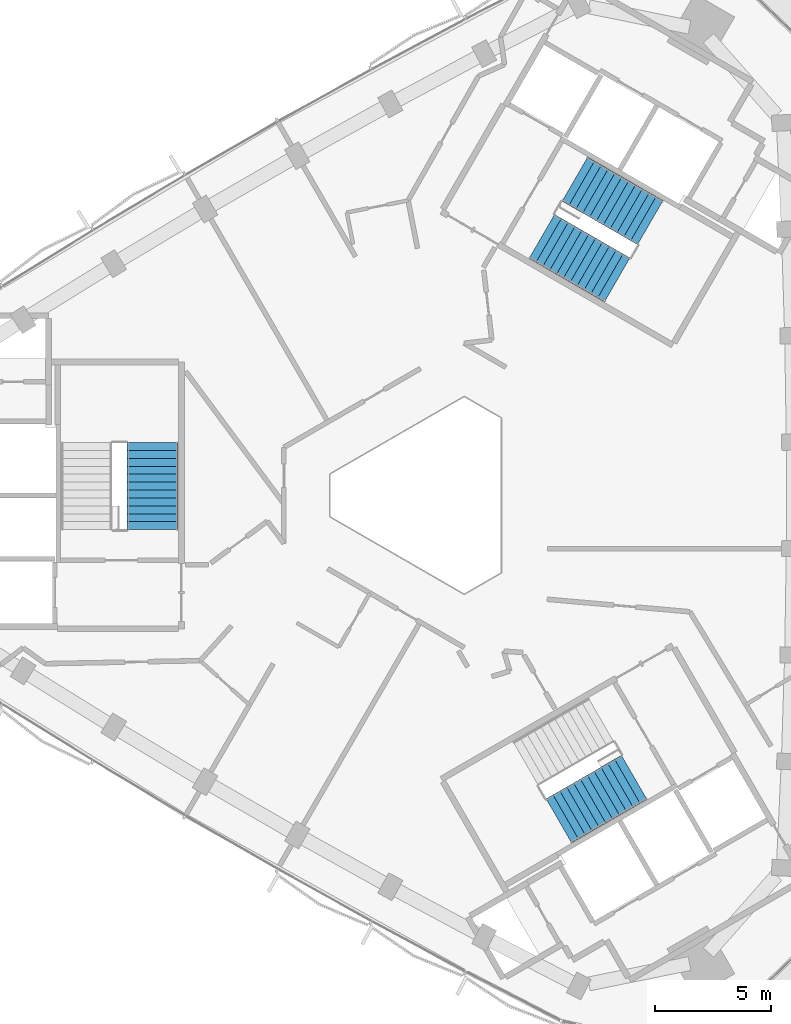
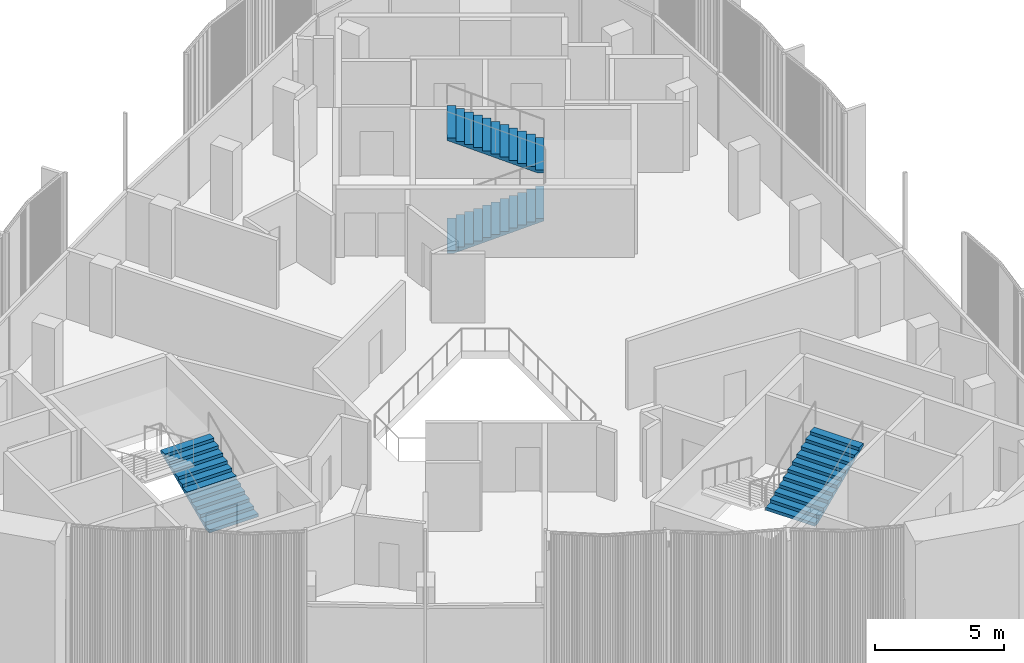
# One storey, part 9 of 13: 4 stair flights, 3 elements without a shape of their own.
"""IFC4 building model written with IfcOpenShell, lengths in metres."""

from ifc_helpers import new_model, si_unit, direction, frame, origin, place, context, subcontext, project, spatial, polyline, outline, extrude, material, type_object, element, aggregate, save


model = new_model("IFC4")

# Units and contexts
model_context = context("Model", 3, precision=1e-05, world=origin(), true_north=direction((0.0, 1.0)))
body_context = subcontext(model_context, "Body", "Model", "MODEL_VIEW")
ifc_project = project(units=[si_unit("LENGTHUNIT", "METRE"), si_unit("AREAUNIT", "SQUARE_METRE"), si_unit("VOLUMEUNIT", "CUBIC_METRE"), si_unit("PLANEANGLEUNIT", "RADIAN"), si_unit("MASSUNIT", "GRAM", prefix="KILO")], contexts=[model_context])

# Site, building, storey
site_placement = place(None, origin())
site = spatial("IfcSite", under=ifc_project, at=site_placement, CompositionType="ELEMENT")
building_placement = place(site_placement, origin())
building = spatial("IfcBuilding", under=site, at=building_placement, Name="Tamra Quay Hotel Tower", CompositionType="ELEMENT")
storey_placement = place(building_placement, frame((0.0, 0.0, 291.0)))
storey = spatial("IfcBuildingStorey", under=building, at=storey_placement, Name="L73", CompositionType="ELEMENT", Elevation=291.0)

# Stair, stair flight
ifc_material_1 = material(Name="Exit stair 2200 24 risers 150.0 going 342")
stair_type = type_object("IfcStairType", Name="Exit stair 2200 24 risers 150.0 going 342", PredefinedType="HALF_TURN_STAIR", material=ifc_material_1)
stair_1_placement = place(storey_placement, origin())
stair_1 = element("IfcStair", 1, at=stair_1_placement, inside=storey, type_object=stair_type, Name="L73 Exit stair ST3", PredefinedType="HALF_TURN_STAIR")
ifc_material_2 = material(Name="Exit stair flight 2200 12 risers 150.0")
stair_flight_type = type_object("IfcStairFlightType", Name="Exit stair flight 2200 12 risers 150.0", PredefinedType="STRAIGHT", material=ifc_material_2)
stair_flight_1_placement = place(storey_placement, frame((-12.082275390625, -1.47998046875, 0.0), z_axis=(0.0, 0.0, 1.0), x_axis=(0.0, 1.0, 0.0)))
stair_flight_1 = element("IfcStairFlight", 2, at=stair_flight_1_placement, type_object=stair_flight_type, Name="ST3 flight 1", NumberOfRisers=12, NumberOfTreads=11, PredefinedType="STRAIGHT", RiserHeight=0.15, TreadLength=0.342, context=body_context, shape_type="SweptSolid", body=[
    extrude(outline(polyline([(0.0, 0.0), (0.0, 0.14990234375), (0.342041015625, 0.14990234375), (0.342041015625, 0.300048828125), (0.68408203125, 0.300048828125), (0.68408203125, 0.449951171875), (1.02587890625, 0.449951171875), (1.02587890625, 0.60009765625), (1.367919921875, 0.60009765625), (1.367919921875, 0.75), (1.7099609375, 0.75), (1.7099609375, 0.89990234375), (2.052001953125, 0.89990234375), (2.052001953125, 1.050048828125), (2.39404296875, 1.050048828125), (2.39404296875, 1.199951171875), (2.736083984375, 1.199951171875), (2.736083984375, 1.35009765625), (3.077880859375, 1.35009765625), (3.077880859375, 1.5), (3.419921875, 1.5), (3.419921875, 1.64990234375), (3.761962890625, 1.64990234375), (3.761962890625, 1.800048828125), (3.761962890625, 1.540771484375), (0.249267578125, 0.0), (0.0, 0.0)])), frame((0.0, 1.10009765625, 0.0), z_axis=(0.0, -1.0, 0.0), x_axis=(1.0, 0.0, 0.0)), (0.0, 0.0, 1.0), 2.199951171875),
])
aggregate(stair_1, [stair_flight_1])

# Stair, stair flights
stair_2_placement = place(storey_placement, origin())
stair_2 = element("IfcStair", 3, at=stair_2_placement, inside=storey, type_object=stair_type, Name="L73 Exit stair ST1", PredefinedType="HALF_TURN_STAIR")
stair_flight_2_placement = place(storey_placement, frame((4.75927734375, 11.20361328125, 0.0), z_axis=(0.0, 0.0, 1.0), x_axis=(0.866025403784, -0.5, 0.0)))
stair_flight_2 = element("IfcStairFlight", 4, at=stair_flight_2_placement, type_object=stair_flight_type, Name="ST1 flight 1", NumberOfRisers=12, NumberOfTreads=11, PredefinedType="STRAIGHT", RiserHeight=0.15, TreadLength=0.342, context=body_context, shape_type="SweptSolid", body=[
    extrude(outline(polyline([(0.0, 0.0), (0.0, 0.14990234375), (0.342041015625, 0.14990234375), (0.342041015625, 0.300048828125), (0.68408203125, 0.300048828125), (0.68408203125, 0.449951171875), (1.02587890625, 0.449951171875), (1.02587890625, 0.60009765625), (1.367919921875, 0.60009765625), (1.367919921875, 0.75), (1.7099609375, 0.75), (1.7099609375, 0.89990234375), (2.052001953125, 0.89990234375), (2.052001953125, 1.050048828125), (2.39404296875, 1.050048828125), (2.39404296875, 1.199951171875), (2.736083984375, 1.199951171875), (2.736083984375, 1.35009765625), (3.077880859375, 1.35009765625), (3.077880859375, 1.5), (3.419921875, 1.5), (3.419921875, 1.64990234375), (3.761962890625, 1.64990234375), (3.761962890625, 1.800048828125), (3.761962890625, 1.540771484375), (0.249267578125, 0.0), (0.0, 0.0)])), frame((0.0, 1.10009765625, 0.0), z_axis=(0.0, -1.0, 0.0), x_axis=(1.0, 0.0, 0.0)), (0.0, 0.0, 1.0), 2.199951171875),
])
stair_flight_3_placement = place(storey_placement, frame((9.44677734375, 11.798583984375, 1.800048828125), z_axis=(0.0, 0.0, 1.0), x_axis=(-0.866025403784, 0.5, 0.0)))
stair_flight_3 = element("IfcStairFlight", 5, at=stair_flight_3_placement, type_object=stair_flight_type, Name="ST1 flight 2", NumberOfRisers=12, NumberOfTreads=11, PredefinedType="STRAIGHT", RiserHeight=0.15, TreadLength=0.342, context=body_context, shape_type="SweptSolid", body=[
    extrude(outline(polyline([(0.0, 0.0), (0.0, 0.14990234375), (0.342041015625, 0.14990234375), (0.342041015625, 0.300048828125), (0.68408203125, 0.300048828125), (0.68408203125, 0.449951171875), (1.02587890625, 0.449951171875), (1.02587890625, 0.60009765625), (1.367919921875, 0.60009765625), (1.367919921875, 0.75), (1.7099609375, 0.75), (1.7099609375, 0.89990234375), (2.052001953125, 0.89990234375), (2.052001953125, 1.050048828125), (2.39404296875, 1.050048828125), (2.39404296875, 1.199951171875), (2.736083984375, 1.199951171875), (2.736083984375, 1.35009765625), (3.077880859375, 1.35009765625), (3.077880859375, 1.5), (3.419921875, 1.5), (3.419921875, 1.64990234375), (3.761962890625, 1.64990234375), (3.761962890625, 1.800048828125), (3.761962890625, 1.540771484375), (0.249267578125, 0.0), (0.0, 0.0)])), frame((0.0, 1.10009765625, 0.0), z_axis=(0.0, -1.0, 0.0), x_axis=(1.0, 0.0, 0.0)), (0.0, 0.0, 1.0), 2.199951171875),
])
aggregate(stair_2, [stair_flight_2, stair_flight_3])

# Stair, stair flight
stair_3_placement = place(storey_placement, origin())
stair_3 = element("IfcStair", 6, at=stair_3_placement, inside=storey, type_object=stair_type, Name="L73 Exit stair ST2", PredefinedType="HALF_TURN_STAIR")
stair_flight_4_placement = place(storey_placement, frame((5.494384765625, -14.08056640625, 1.800048828125), z_axis=(0.0, 0.0, 1.0), x_axis=(0.866025403784, 0.5, 0.0)))
stair_flight_4 = element("IfcStairFlight", 7, at=stair_flight_4_placement, type_object=stair_flight_type, Name="ST2 flight 2", NumberOfRisers=12, NumberOfTreads=11, PredefinedType="STRAIGHT", RiserHeight=0.15, TreadLength=0.342, context=body_context, shape_type="SweptSolid", body=[
    extrude(outline(polyline([(0.0, 0.0), (0.0, 0.14990234375), (0.342041015625, 0.14990234375), (0.342041015625, 0.300048828125), (0.68408203125, 0.300048828125), (0.68408203125, 0.449951171875), (1.02587890625, 0.449951171875), (1.02587890625, 0.60009765625), (1.367919921875, 0.60009765625), (1.367919921875, 0.75), (1.7099609375, 0.75), (1.7099609375, 0.89990234375), (2.052001953125, 0.89990234375), (2.052001953125, 1.050048828125), (2.39404296875, 1.050048828125), (2.39404296875, 1.199951171875), (2.736083984375, 1.199951171875), (2.736083984375, 1.35009765625), (3.077880859375, 1.35009765625), (3.077880859375, 1.5), (3.419921875, 1.5), (3.419921875, 1.64990234375), (3.761962890625, 1.64990234375), (3.761962890625, 1.800048828125), (3.761962890625, 1.540771484375), (0.249267578125, 0.0), (0.0, 0.0)])), frame((0.0, 1.10009765625, 0.0), z_axis=(0.0, -1.0, 0.0), x_axis=(1.0, 0.0, 0.0)), (0.0, 0.0, 1.0), 2.199951171875),
])
aggregate(stair_3, [stair_flight_4])

save(model, "model.ifc")
